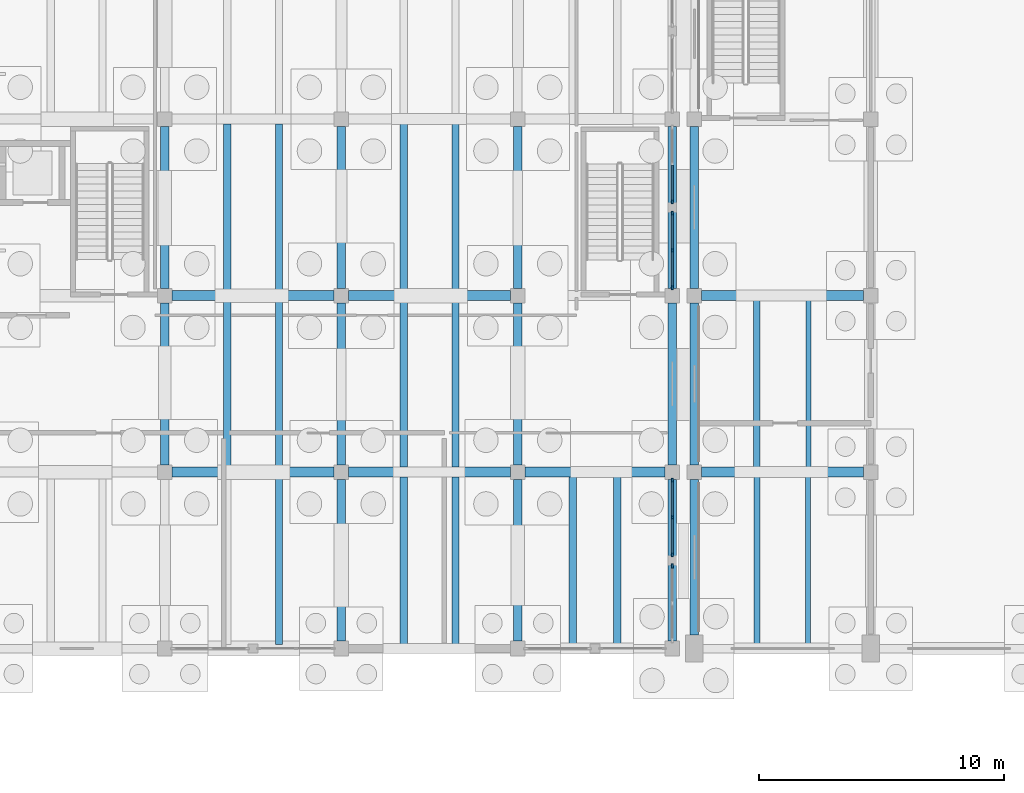
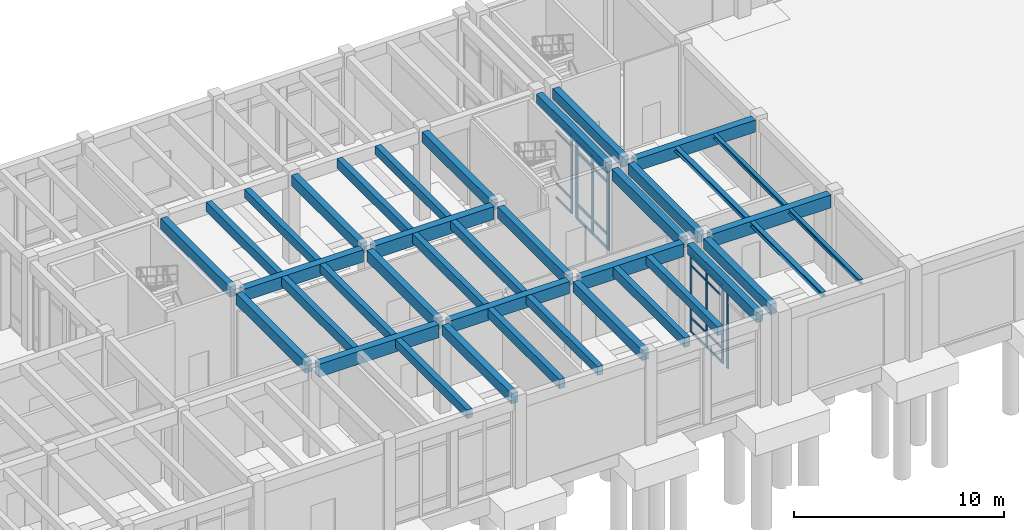
# One storey, part 25 of 93: 38 beams, 28 members, 4 elements without a shape of their own.
"""IFC4 building model written with IfcOpenShell, lengths in metres."""

from ifc_helpers import new_model, si_unit, direction, frame, origin, origin_2d, place, context, subcontext, project, spatial, rectangle, i_section, extrude, material, layer, layer_set, material_profile, profile_set, type_object, element, aggregate, save


model = new_model("IFC4")

# Units and contexts
model_context = context("Model", 3, precision=1e-05, world=origin(), true_north=direction((0.0, 1.0)))
body_context = subcontext(model_context, "Body", "Model", "MODEL_VIEW")
ifc_project = project(units=[si_unit("LENGTHUNIT", "METRE"), si_unit("AREAUNIT", "SQUARE_METRE"), si_unit("VOLUMEUNIT", "CUBIC_METRE"), si_unit("PLANEANGLEUNIT", "RADIAN"), si_unit("MASSUNIT", "GRAM", prefix="KILO")], contexts=[model_context])

# Site, building, storey
site_placement = place(None, origin())
site = spatial("IfcSite", under=ifc_project, at=site_placement, CompositionType="ELEMENT")
building_placement = place(site_placement, origin())
building = spatial("IfcBuilding", under=site, at=building_placement, Name="Koriwan Promenade Central Fire Station", CompositionType="ELEMENT")
storey_placement = place(building_placement, origin())
storey = spatial("IfcBuildingStorey", under=building, at=storey_placement, Name="L00", CompositionType="ELEMENT", Elevation=0.0)

# Beams
ifc_material_1 = material(Name="Concrete C35/45", Category="concrete")
ifc_material_profile_1 = material_profile(ifc_material_1, rectangle(XDim=0.300048828125, YDim=0.5, at=origin_2d()), Name="RC-BM-300x500")
ifc_profile_set_1 = profile_set([ifc_material_profile_1], Name="Concrete C35/45")
beam_type_1 = type_object("IfcBeamType", Name="Beam_RC-BM-300x500", PredefinedType="JOIST", material=ifc_profile_set_1)
for number, where, z_axis, x_axis, name in (
    (1, (40.656005859375, 43.375, 4.89990234375), (0.0, 1.0, 0.0), (-1.0, 0.0, 0.0), "V4 L00 secondary joist 389"),
    (2, (47.85595703125, 43.375, 4.89990234375), (0.0, 1.0, 0.0), (-1.0, 0.0, 0.0), "V4 L00 secondary joist 391"),
    (3, (54.4619140625, 43.375, 4.89990234375), (0.0, 1.0, 0.0), (-1.0, 0.0, 0.0), "V4 L00 secondary joist 393"),
):
    element("IfcBeam", number, at=place(storey_placement, frame(where, z_axis=z_axis, x_axis=x_axis)), inside=storey, type_object=beam_type_1, Name=name, PredefinedType="JOIST", context=body_context, shape_type="SweptSolid", body=[
        extrude(rectangle(XDim=0.300048828125, YDim=0.5, at=origin_2d()), origin(), (0.0, 0.0, 1.0), 6.824951171875),
    ])
for number, where, z_axis, x_axis, name in (
    (4, (40.656005859375, 50.60009765625, 4.89990234375), (0.0, 1.0, 0.0), (-1.0, 0.0, 0.0), "V4 L00 secondary joist 399"),
    (5, (47.85595703125, 50.60009765625, 4.89990234375), (0.0, 1.0, 0.0), (-1.0, 0.0, 0.0), "V4 L00 secondary joist 401"),
):
    element("IfcBeam", number, at=place(storey_placement, frame(where, z_axis=z_axis, x_axis=x_axis)), inside=storey, type_object=beam_type_1, Name=name, PredefinedType="JOIST", context=body_context, shape_type="SweptSolid", body=[
        extrude(rectangle(XDim=0.300048828125, YDim=0.5, at=origin_2d()), origin(), (0.0, 0.0, 1.0), 6.7998046875),
    ])
for number, where, z_axis, x_axis, name in (
    (6, (40.656005859375, 57.800048828125, 4.89990234375), (0.0, 1.0, 0.0), (-1.0, 0.0, 0.0), "V4 L00 secondary joist 403"),
    (7, (47.85595703125, 57.800048828125, 4.89990234375), (0.0, 1.0, 0.0), (-1.0, 0.0, 0.0), "V4 L00 secondary joist 405"),
):
    element("IfcBeam", number, at=place(storey_placement, frame(where, z_axis=z_axis, x_axis=x_axis)), inside=storey, type_object=beam_type_1, Name=name, PredefinedType="JOIST", context=body_context, shape_type="SweptSolid", body=[
        extrude(rectangle(XDim=0.300048828125, YDim=0.5, at=origin_2d()), origin(), (0.0, 0.0, 1.0), 6.800048828125),
    ])
ifc_material_profile_2 = material_profile(ifc_material_1, rectangle(XDim=0.300048828125, YDim=0.550048828125, at=origin_2d()), Name="RC-BM-300x550")
ifc_profile_set_2 = profile_set([ifc_material_profile_2], Name="Concrete C35/45")
beam_type_2 = type_object("IfcBeamType", Name="Beam_RC-BM-300x550", PredefinedType="JOIST", material=ifc_profile_set_2)
for number, where, z_axis, x_axis, name in (
    (8, (45.743896484375, 43.375, 4.875), (0.0, 1.0, 0.0), (-1.0, 0.0, 0.0), "V4 L00 secondary joist 390"),
    (9, (52.637939453125, 43.375, 4.875), (0.0, 1.0, 0.0), (-1.0, 0.0, 0.0), "V4 L00 secondary joist 392"),
):
    element("IfcBeam", number, at=place(storey_placement, frame(where, z_axis=z_axis, x_axis=x_axis)), inside=storey, type_object=beam_type_2, Name=name, PredefinedType="JOIST", context=body_context, shape_type="SweptSolid", body=[
        extrude(rectangle(XDim=0.300048828125, YDim=0.550048828125, at=origin_2d()), origin(), (0.0, 0.0, 1.0), 6.824951171875),
    ])
for number, where, z_axis, x_axis, name in (
    (10, (38.5439453125, 50.60009765625, 4.875), (0.0, 1.0, 0.0), (-1.0, 0.0, 0.0), "V4 L00 secondary joist 398"),
    (11, (45.743896484375, 50.60009765625, 4.875), (0.0, 1.0, 0.0), (-1.0, 0.0, 0.0), "V4 L00 secondary joist 400"),
):
    element("IfcBeam", number, at=place(storey_placement, frame(where, z_axis=z_axis, x_axis=x_axis)), inside=storey, type_object=beam_type_2, Name=name, PredefinedType="JOIST", context=body_context, shape_type="SweptSolid", body=[
        extrude(rectangle(XDim=0.300048828125, YDim=0.550048828125, at=origin_2d()), origin(), (0.0, 0.0, 1.0), 6.7998046875),
    ])
for number, where, z_axis, x_axis, name in (
    (12, (38.5439453125, 57.800048828125, 4.875), (0.0, 1.0, 0.0), (-1.0, 0.0, 0.0), "V4 L00 secondary joist 402"),
    (13, (45.743896484375, 57.800048828125, 4.875), (0.0, 1.0, 0.0), (-1.0, 0.0, 0.0), "V4 L00 secondary joist 404"),
):
    element("IfcBeam", number, at=place(storey_placement, frame(where, z_axis=z_axis, x_axis=x_axis)), inside=storey, type_object=beam_type_2, Name=name, PredefinedType="JOIST", context=body_context, shape_type="SweptSolid", body=[
        extrude(rectangle(XDim=0.300048828125, YDim=0.550048828125, at=origin_2d()), origin(), (0.0, 0.0, 1.0), 6.800048828125),
    ])
ifc_material_profile_3 = material_profile(ifc_material_1, rectangle(XDim=0.35009765625, YDim=0.60009765625, at=origin_2d()), Name="RC-BM-350x600")
ifc_profile_set_3 = profile_set([ifc_material_profile_3], Name="Concrete C35/45")
beam_type_3 = type_object("IfcBeamType", Name="Beam_RC-BM-350x600", PredefinedType="BEAM", material=ifc_profile_set_3)
beam_1_placement = place(storey_placement, frame((57.60009765625, 43.75, 4.85009765625), z_axis=(0.0, 1.0, 0.0), x_axis=(-1.0, 0.0, 0.0)))
element("IfcBeam", 14, at=beam_1_placement, inside=storey, type_object=beam_type_3, Name="V1 L00 girder Y-20", PredefinedType="BEAM", context=body_context, shape_type="SweptSolid", body=[
    extrude(rectangle(XDim=0.35009765625, YDim=0.60009765625, at=origin_2d()), origin(), (0.0, 0.0, 1.0), 6.35009765625),
])
for number, where, z_axis, x_axis, name in (
    (15, (57.60009765625, 57.89990234375, 4.85009765625), (0.0, 1.0, 0.0), (-1.0, 0.0, 0.0), "V1 L00 girder Y-22"),
    (16, (36.0, 57.89990234375, 4.85009765625), (0.0, 1.0, 0.0), (-1.0, 0.0, 0.0), "V4 L00 girder Y-368"),
    (17, (43.199951171875, 43.5, 4.85009765625), (0.0, 1.0, 0.0), (-1.0, 0.0, 0.0), "V4 L00 girder Y-370"),
    (18, (43.199951171875, 57.89990234375, 4.85009765625), (0.0, 1.0, 0.0), (-1.0, 0.0, 0.0), "V4 L00 girder Y-372"),
    (19, (50.39990234375, 43.5, 4.85009765625), (0.0, 1.0, 0.0), (-1.0, 0.0, 0.0), "V4 L00 girder Y-374"),
    (20, (50.39990234375, 57.89990234375, 4.85009765625), (0.0, 1.0, 0.0), (-1.0, 0.0, 0.0), "V4 L00 girder Y-376"),
    (21, (56.699951171875, 43.5, 4.85009765625), (0.0, 1.0, 0.0), (-1.0, 0.0, 0.0), "V4 L00 girder Y-378"),
    (22, (56.699951171875, 57.89990234375, 4.85009765625), (0.0, 1.0, 0.0), (-1.0, 0.0, 0.0), "V4 L00 girder Y-380"),
):
    element("IfcBeam", number, at=place(storey_placement, frame(where, z_axis=z_axis, x_axis=x_axis)), inside=storey, type_object=beam_type_3, Name=name, PredefinedType="BEAM", context=body_context, shape_type="SweptSolid", body=[
        extrude(rectangle(XDim=0.35009765625, YDim=0.60009765625, at=origin_2d()), origin(), (0.0, 0.0, 1.0), 6.60009765625),
    ])
ifc_material_profile_4 = material_profile(ifc_material_1, rectangle(XDim=0.35009765625, YDim=0.64990234375, at=origin_2d()), Name="RC-BM-350x650")
ifc_profile_set_4 = profile_set([ifc_material_profile_4], Name="Concrete C35/45")
beam_type_4 = type_object("IfcBeamType", Name="Beam_RC-BM-350x650", PredefinedType="BEAM", material=ifc_profile_set_4)
for number, where, z_axis, x_axis, name in (
    (23, (57.60009765625, 50.699951171875, 4.824951171875), (0.0, 1.0, 0.0), (-1.0, 0.0, 0.0), "V1 L00 girder Y-21"),
    (24, (36.0, 50.699951171875, 4.824951171875), (0.0, 1.0, 0.0), (-1.0, 0.0, 0.0), "V4 L00 girder Y-367"),
    (25, (43.199951171875, 50.699951171875, 4.824951171875), (0.0, 1.0, 0.0), (-1.0, 0.0, 0.0), "V4 L00 girder Y-371"),
    (26, (50.39990234375, 50.699951171875, 4.824951171875), (0.0, 1.0, 0.0), (-1.0, 0.0, 0.0), "V4 L00 girder Y-375"),
    (27, (56.699951171875, 50.699951171875, 4.824951171875), (0.0, 1.0, 0.0), (-1.0, 0.0, 0.0), "V4 L00 girder Y-379"),
):
    element("IfcBeam", number, at=place(storey_placement, frame(where, z_axis=z_axis, x_axis=x_axis)), inside=storey, type_object=beam_type_4, Name=name, PredefinedType="BEAM", context=body_context, shape_type="SweptSolid", body=[
        extrude(rectangle(XDim=0.35009765625, YDim=0.64990234375, at=origin_2d()), origin(), (0.0, 0.0, 1.0), 6.60009765625),
    ])
ifc_material_profile_5 = material_profile(ifc_material_1, rectangle(XDim=0.39990234375, YDim=0.699951171875, at=origin_2d()), Name="RC-BM-400x700")
ifc_profile_set_5 = profile_set([ifc_material_profile_5], Name="Concrete C35/45")
beam_type_5 = type_object("IfcBeamType", Name="Beam_RC-BM-400x700", PredefinedType="BEAM", material=ifc_profile_set_5)
for number, where, z_axis, x_axis, name in (
    (28, (57.89990234375, 57.60009765625, 4.800048828125), (1.0, 0.0, 0.0), (0.0, 1.0, 0.0), "V1 L00 girder X-10"),
    (29, (43.5, 50.39990234375, 4.800048828125), (1.0, 0.0, 0.0), (0.0, 1.0, 0.0), "V4 L00 girder X-338"),
):
    element("IfcBeam", number, at=place(storey_placement, frame(where, z_axis=z_axis, x_axis=x_axis)), inside=storey, type_object=beam_type_5, Name=name, PredefinedType="BEAM", context=body_context, shape_type="SweptSolid", body=[
        extrude(rectangle(XDim=0.39990234375, YDim=0.699951171875, at=origin_2d()), origin(), (0.0, 0.0, 1.0), 6.60009765625),
    ])
beam_2_placement = place(storey_placement, frame((36.300048828125, 57.60009765625, 4.800048828125), z_axis=(1.0, 0.0, 0.0), x_axis=(0.0, 1.0, 0.0)))
element("IfcBeam", 30, at=beam_2_placement, inside=storey, type_object=beam_type_5, Name="V4 L00 girder X-344", PredefinedType="BEAM", context=body_context, shape_type="SweptSolid", body=[
    extrude(rectangle(XDim=0.39990234375, YDim=0.699951171875, at=origin_2d()), origin(), (0.0, 0.0, 1.0), 6.599853515625),
])
ifc_material_profile_6 = material_profile(ifc_material_1, rectangle(XDim=0.39990234375, YDim=0.75, at=origin_2d()), Name="RC-BM-400x750")
ifc_profile_set_6 = profile_set([ifc_material_profile_6], Name="Concrete C35/45")
beam_type_6 = type_object("IfcBeamType", Name="Beam_RC-BM-400x750", PredefinedType="BEAM", material=ifc_profile_set_6)
beam_3_placement = place(storey_placement, frame((57.89990234375, 50.39990234375, 4.77490234375), z_axis=(1.0, 0.0, 0.0), x_axis=(0.0, 1.0, 0.0)))
element("IfcBeam", 31, at=beam_3_placement, inside=storey, type_object=beam_type_6, Name="V1 L00 girder X-9", PredefinedType="BEAM", context=body_context, shape_type="SweptSolid", body=[
    extrude(rectangle(XDim=0.39990234375, YDim=0.75, at=origin_2d()), origin(), (0.0, 0.0, 1.0), 6.60009765625),
])
beam_4_placement = place(storey_placement, frame((36.300048828125, 50.39990234375, 4.77490234375), z_axis=(1.0, 0.0, 0.0), x_axis=(0.0, 1.0, 0.0)))
element("IfcBeam", 32, at=beam_4_placement, inside=storey, type_object=beam_type_6, Name="V4 L00 girder X-337", PredefinedType="BEAM", context=body_context, shape_type="SweptSolid", body=[
    extrude(rectangle(XDim=0.39990234375, YDim=0.75, at=origin_2d()), origin(), (0.0, 0.0, 1.0), 6.599853515625),
])
beam_5_placement = place(storey_placement, frame((50.699951171875, 50.39990234375, 4.77490234375), z_axis=(1.0, 0.0, 0.0), x_axis=(0.0, 1.0, 0.0)))
element("IfcBeam", 33, at=beam_5_placement, inside=storey, type_object=beam_type_6, Name="V4 L00 girder X-339", PredefinedType="BEAM", context=body_context, shape_type="SweptSolid", body=[
    extrude(rectangle(XDim=0.39990234375, YDim=0.75, at=origin_2d()), origin(), (0.0, 0.0, 1.0), 5.699951171875),
])
beam_6_placement = place(storey_placement, frame((43.5, 57.60009765625, 4.77490234375), z_axis=(1.0, 0.0, 0.0), x_axis=(0.0, 1.0, 0.0)))
element("IfcBeam", 34, at=beam_6_placement, inside=storey, type_object=beam_type_6, Name="V4 L00 girder X-345", PredefinedType="BEAM", context=body_context, shape_type="SweptSolid", body=[
    extrude(rectangle(XDim=0.39990234375, YDim=0.75, at=origin_2d()), origin(), (0.0, 0.0, 1.0), 6.60009765625),
])

# Curtain wall, member
ifc_material_2 = material(Name="Aluminium EN AW-6063-T6 and low-E glazing", Category="aluminium")
ifc_layer_1 = layer(ifc_material_2, 0.159912109375, Name="Aluminium EN AW-6063-T6 and low-E glazing")
ifc_layer_set_1 = layer_set([ifc_layer_1], Name="Aluminium EN AW-6063-T6 and low-E glazing")
curtain_wall_type_1 = type_object("IfcCurtainWallType", Name="CurtainWall_33_310x454", PredefinedType="USERDEFINED", material=ifc_layer_set_1)
curtain_wall_1_placement = place(storey_placement, origin())
curtain_wall_1 = element("IfcCurtainWall", 35, at=curtain_wall_1_placement, inside=storey, type_object=curtain_wall_type_1, Name="V4 L00 unitised curtain wall 097", ObjectType="UNITISED CURTAIN WALL", PredefinedType="USERDEFINED")
ifc_material_3 = material(Name="Aluminium EN AW-6063-T6", Category="aluminium")
ifc_material_profile_7 = material_profile(ifc_material_3, rectangle(XDim=0.06494140625, YDim=0.159912109375, at=origin_2d()), Name="ALU-MUL-65x160")
ifc_profile_set_7 = profile_set([ifc_material_profile_7], Name="Aluminium EN AW-6063-T6")
member_type_1 = type_object("IfcMemberType", Name="CWMullion_ALU-MUL-65x160", PredefinedType="MULLION", material=ifc_profile_set_7)
member_1_placement = place(storey_placement, frame((56.699951171875, 61.4326171875, 0.0), z_axis=(0.0, 0.0, 1.0), x_axis=(1.0, 0.0, 0.0)))
member_1 = element("IfcMember", 36, at=member_1_placement, type_object=member_type_1, Name="CW-33 mullion 3", PredefinedType="MULLION", context=body_context, shape_type="SweptSolid", body=[
    extrude(rectangle(XDim=0.06494140625, YDim=0.159912109375, at=origin_2d()), origin(), (0.0, 0.0, 1.0), 4.5400390625),
])

# Curtain wall, members
curtain_wall_2_placement = place(storey_placement, origin())
curtain_wall_2 = element("IfcCurtainWall", 37, at=curtain_wall_2_placement, inside=storey, type_object=curtain_wall_type_1, Name="V4 L00 unitised curtain wall 099", ObjectType="UNITISED CURTAIN WALL", PredefinedType="USERDEFINED")
member_2_placement = place(storey_placement, frame((56.699951171875, 50.0673828125, 0.0), z_axis=(0.0, 0.0, 1.0), x_axis=(1.0, 0.0, 0.0)))
member_2 = element("IfcMember", 38, at=member_2_placement, type_object=member_type_1, Name="CW-33 mullion 1", PredefinedType="MULLION", context=body_context, shape_type="SweptSolid", body=[
    extrude(rectangle(XDim=0.06494140625, YDim=0.159912109375, at=origin_2d()), origin(), (0.0, 0.0, 1.0), 4.5400390625),
])
member_3_placement = place(storey_placement, frame((56.699951171875, 48.550048828125, 0.0), z_axis=(0.0, 0.0, 1.0), x_axis=(1.0, 0.0, 0.0)))
member_3 = element("IfcMember", 39, at=member_3_placement, type_object=member_type_1, Name="CW-33 mullion 2", PredefinedType="MULLION", context=body_context, shape_type="SweptSolid", body=[
    extrude(rectangle(XDim=0.06494140625, YDim=0.159912109375, at=origin_2d()), origin(), (0.0, 0.0, 1.0), 4.5400390625),
])
member_4_placement = place(storey_placement, frame((56.699951171875, 47.032470703125, 0.0), z_axis=(0.0, 0.0, 1.0), x_axis=(1.0, 0.0, 0.0)))
member_4 = element("IfcMember", 40, at=member_4_placement, type_object=member_type_1, Name="CW-33 mullion 3", PredefinedType="MULLION", context=body_context, shape_type="SweptSolid", body=[
    extrude(rectangle(XDim=0.06494140625, YDim=0.159912109375, at=origin_2d()), origin(), (0.0, 0.0, 1.0), 4.5400390625),
])

ifc_layer_2 = layer(ifc_material_2, 0.159912109375, Name="Aluminium EN AW-6063-T6 and low-E glazing")
ifc_layer_set_2 = layer_set([ifc_layer_2], Name="Aluminium EN AW-6063-T6 and low-E glazing")
curtain_wall_type_2 = type_object("IfcCurtainWallType", Name="CurtainWall_34_310x454", PredefinedType="USERDEFINED", material=ifc_layer_set_2)
curtain_wall_3_placement = place(storey_placement, origin())
curtain_wall_3 = element("IfcCurtainWall", 41, at=curtain_wall_3_placement, inside=storey, type_object=curtain_wall_type_2, Name="V4 L00 unitised curtain wall 098", ObjectType="UNITISED CURTAIN WALL", PredefinedType="USERDEFINED")
ifc_material_profile_8 = material_profile(ifc_material_3, rectangle(XDim=0.074951171875, YDim=0.179931640625, at=origin_2d()), Name="ALU-MUL-75x180")
ifc_profile_set_8 = profile_set([ifc_material_profile_8], Name="Aluminium EN AW-6063-T6")
member_type_2 = type_object("IfcMemberType", Name="CWMullion_ALU-MUL-75x180", PredefinedType="MULLION", material=ifc_profile_set_8)
member_5_placement = place(storey_placement, frame((56.699951171875, 60.96240234375, 0.0), z_axis=(0.0, 0.0, 1.0), x_axis=(1.0, 0.0, 0.0)))
member_5 = element("IfcMember", 42, at=member_5_placement, type_object=member_type_2, Name="CW-34 mullion 1", PredefinedType="MULLION", context=body_context, shape_type="SweptSolid", body=[
    extrude(rectangle(XDim=0.074951171875, YDim=0.179931640625, at=origin_2d()), origin(), (0.0, 0.0, 1.0), 4.5400390625),
])
member_6_placement = place(storey_placement, frame((56.699951171875, 59.449951171875, 0.0), z_axis=(0.0, 0.0, 1.0), x_axis=(1.0, 0.0, 0.0)))
member_6 = element("IfcMember", 43, at=member_6_placement, type_object=member_type_2, Name="CW-34 mullion 2", PredefinedType="MULLION", context=body_context, shape_type="SweptSolid", body=[
    extrude(rectangle(XDim=0.074951171875, YDim=0.179931640625, at=origin_2d()), origin(), (0.0, 0.0, 1.0), 4.5400390625),
])
member_7_placement = place(storey_placement, frame((56.699951171875, 57.9375, 0.0), z_axis=(0.0, 0.0, 1.0), x_axis=(1.0, 0.0, 0.0)))
member_7 = element("IfcMember", 44, at=member_7_placement, type_object=member_type_2, Name="CW-34 mullion 3", PredefinedType="MULLION", context=body_context, shape_type="SweptSolid", body=[
    extrude(rectangle(XDim=0.074951171875, YDim=0.179931640625, at=origin_2d()), origin(), (0.0, 0.0, 1.0), 4.5400390625),
])

# Curtain wall, member
curtain_wall_4_placement = place(storey_placement, origin())
curtain_wall_4 = element("IfcCurtainWall", 45, at=curtain_wall_4_placement, inside=storey, type_object=curtain_wall_type_2, Name="V4 L00 unitised curtain wall 100", ObjectType="UNITISED CURTAIN WALL", PredefinedType="USERDEFINED")
member_8_placement = place(storey_placement, frame((56.699951171875, 46.5625, 0.0), z_axis=(0.0, 0.0, 1.0), x_axis=(1.0, 0.0, 0.0)))
member_8 = element("IfcMember", 46, at=member_8_placement, type_object=member_type_2, Name="CW-34 mullion 1", PredefinedType="MULLION", context=body_context, shape_type="SweptSolid", body=[
    extrude(rectangle(XDim=0.074951171875, YDim=0.179931640625, at=origin_2d()), origin(), (0.0, 0.0, 1.0), 4.5400390625),
])
aggregate(curtain_wall_4, [member_8])

# Member
ifc_material_profile_9 = material_profile(ifc_material_3, rectangle(XDim=0.06494140625, YDim=0.1201171875, at=origin_2d()), Name="ALU-TRN-65x120")
ifc_profile_set_9 = profile_set([ifc_material_profile_9], Name="Aluminium EN AW-6063-T6")
member_type_3 = type_object("IfcMemberType", Name="CWTransom_ALU-TRN-65x120", PredefinedType="USERDEFINED", material=ifc_profile_set_9)
member_9_placement = place(storey_placement, frame((56.699951171875, 62.91748046875, 0.032470703125), z_axis=(0.0, -1.0, 0.0), x_axis=(1.0, 0.0, 0.0)))
member_9 = element("IfcMember", 47, at=member_9_placement, type_object=member_type_3, Name="CW-33 transom 2.1", ObjectType="TRANSOM", PredefinedType="USERDEFINED", context=body_context, shape_type="SweptSolid", body=[
    extrude(rectangle(XDim=0.06494140625, YDim=0.1201171875, at=origin_2d()), origin(), (0.0, 0.0, 1.0), 1.452392578125),
])

member_10_placement = place(storey_placement, frame((56.699951171875, 62.91748046875, 0.85009765625), z_axis=(0.0, -1.0, 0.0), x_axis=(1.0, 0.0, 0.0)))
member_10 = element("IfcMember", 48, at=member_10_placement, type_object=member_type_3, Name="CW-33 transom 2.2", ObjectType="TRANSOM", PredefinedType="USERDEFINED", context=body_context, shape_type="SweptSolid", body=[
    extrude(rectangle(XDim=0.06494140625, YDim=0.1201171875, at=origin_2d()), origin(), (0.0, 0.0, 1.0), 1.452392578125),
])

member_11_placement = place(storey_placement, frame((56.699951171875, 62.91748046875, 3.889892578125), z_axis=(0.0, -1.0, 0.0), x_axis=(1.0, 0.0, 0.0)))
member_11 = element("IfcMember", 49, at=member_11_placement, type_object=member_type_3, Name="CW-33 transom 2.3", ObjectType="TRANSOM", PredefinedType="USERDEFINED", context=body_context, shape_type="SweptSolid", body=[
    extrude(rectangle(XDim=0.06494140625, YDim=0.1201171875, at=origin_2d()), origin(), (0.0, 0.0, 1.0), 1.452392578125),
])

member_12_placement = place(storey_placement, frame((56.699951171875, 62.91748046875, 4.507568359375), z_axis=(0.0, -1.0, 0.0), x_axis=(1.0, 0.0, 0.0)))
member_12 = element("IfcMember", 50, at=member_12_placement, type_object=member_type_3, Name="CW-33 transom 2.4", ObjectType="TRANSOM", PredefinedType="USERDEFINED", context=body_context, shape_type="SweptSolid", body=[
    extrude(rectangle(XDim=0.06494140625, YDim=0.1201171875, at=origin_2d()), origin(), (0.0, 0.0, 1.0), 1.452392578125),
])

aggregate(curtain_wall_1, [member_1, member_9, member_10, member_11, member_12])

member_13_placement = place(storey_placement, frame((56.699951171875, 50.034912109375, 0.032470703125), z_axis=(0.0, -1.0, 0.0), x_axis=(1.0, 0.0, 0.0)))
member_13 = element("IfcMember", 51, at=member_13_placement, type_object=member_type_3, Name="CW-33 transom 1.1", ObjectType="TRANSOM", PredefinedType="USERDEFINED", context=body_context, shape_type="SweptSolid", body=[
    extrude(rectangle(XDim=0.06494140625, YDim=0.1201171875, at=origin_2d()), origin(), (0.0, 0.0, 1.0), 1.452392578125),
])

member_14_placement = place(storey_placement, frame((56.699951171875, 50.034912109375, 0.85009765625), z_axis=(0.0, -1.0, 0.0), x_axis=(1.0, 0.0, 0.0)))
member_14 = element("IfcMember", 52, at=member_14_placement, type_object=member_type_3, Name="CW-33 transom 1.2", ObjectType="TRANSOM", PredefinedType="USERDEFINED", context=body_context, shape_type="SweptSolid", body=[
    extrude(rectangle(XDim=0.06494140625, YDim=0.1201171875, at=origin_2d()), origin(), (0.0, 0.0, 1.0), 1.452392578125),
])

member_15_placement = place(storey_placement, frame((56.699951171875, 50.034912109375, 3.889892578125), z_axis=(0.0, -1.0, 0.0), x_axis=(1.0, 0.0, 0.0)))
member_15 = element("IfcMember", 53, at=member_15_placement, type_object=member_type_3, Name="CW-33 transom 1.3", ObjectType="TRANSOM", PredefinedType="USERDEFINED", context=body_context, shape_type="SweptSolid", body=[
    extrude(rectangle(XDim=0.06494140625, YDim=0.1201171875, at=origin_2d()), origin(), (0.0, 0.0, 1.0), 1.452392578125),
])

member_16_placement = place(storey_placement, frame((56.699951171875, 50.034912109375, 4.507568359375), z_axis=(0.0, -1.0, 0.0), x_axis=(1.0, 0.0, 0.0)))
member_16 = element("IfcMember", 54, at=member_16_placement, type_object=member_type_3, Name="CW-33 transom 1.4", ObjectType="TRANSOM", PredefinedType="USERDEFINED", context=body_context, shape_type="SweptSolid", body=[
    extrude(rectangle(XDim=0.06494140625, YDim=0.1201171875, at=origin_2d()), origin(), (0.0, 0.0, 1.0), 1.452392578125),
])

member_17_placement = place(storey_placement, frame((56.699951171875, 48.517578125, 0.032470703125), z_axis=(0.0, -1.0, 0.0), x_axis=(1.0, 0.0, 0.0)))
member_17 = element("IfcMember", 55, at=member_17_placement, type_object=member_type_3, Name="CW-33 transom 2.1", ObjectType="TRANSOM", PredefinedType="USERDEFINED", context=body_context, shape_type="SweptSolid", body=[
    extrude(rectangle(XDim=0.06494140625, YDim=0.1201171875, at=origin_2d()), origin(), (0.0, 0.0, 1.0), 1.45263671875),
])

member_18_placement = place(storey_placement, frame((56.699951171875, 48.517578125, 0.85009765625), z_axis=(0.0, -1.0, 0.0), x_axis=(1.0, 0.0, 0.0)))
member_18 = element("IfcMember", 56, at=member_18_placement, type_object=member_type_3, Name="CW-33 transom 2.2", ObjectType="TRANSOM", PredefinedType="USERDEFINED", context=body_context, shape_type="SweptSolid", body=[
    extrude(rectangle(XDim=0.06494140625, YDim=0.1201171875, at=origin_2d()), origin(), (0.0, 0.0, 1.0), 1.45263671875),
])

member_19_placement = place(storey_placement, frame((56.699951171875, 48.517578125, 3.889892578125), z_axis=(0.0, -1.0, 0.0), x_axis=(1.0, 0.0, 0.0)))
member_19 = element("IfcMember", 57, at=member_19_placement, type_object=member_type_3, Name="CW-33 transom 2.3", ObjectType="TRANSOM", PredefinedType="USERDEFINED", context=body_context, shape_type="SweptSolid", body=[
    extrude(rectangle(XDim=0.06494140625, YDim=0.1201171875, at=origin_2d()), origin(), (0.0, 0.0, 1.0), 1.45263671875),
])

member_20_placement = place(storey_placement, frame((56.699951171875, 48.517578125, 4.507568359375), z_axis=(0.0, -1.0, 0.0), x_axis=(1.0, 0.0, 0.0)))
member_20 = element("IfcMember", 58, at=member_20_placement, type_object=member_type_3, Name="CW-33 transom 2.4", ObjectType="TRANSOM", PredefinedType="USERDEFINED", context=body_context, shape_type="SweptSolid", body=[
    extrude(rectangle(XDim=0.06494140625, YDim=0.1201171875, at=origin_2d()), origin(), (0.0, 0.0, 1.0), 1.45263671875),
])

aggregate(curtain_wall_2, [member_2, member_3, member_4, member_13, member_14, member_15, member_16, member_17, member_18, member_19, member_20])

ifc_material_profile_10 = material_profile(ifc_material_3, rectangle(XDim=0.074951171875, YDim=0.139892578125, at=origin_2d()), Name="ALU-TRN-75x140")
ifc_profile_set_10 = profile_set([ifc_material_profile_10], Name="Aluminium EN AW-6063-T6")
member_type_4 = type_object("IfcMemberType", Name="CWTransom_ALU-TRN-75x140", PredefinedType="USERDEFINED", material=ifc_profile_set_10)
member_21_placement = place(storey_placement, frame((56.699951171875, 60.925048828125, 0.03759765625), z_axis=(0.0, -1.0, 0.0), x_axis=(1.0, 0.0, 0.0)))
member_21 = element("IfcMember", 59, at=member_21_placement, type_object=member_type_4, Name="CW-34 transom 1.1", ObjectType="TRANSOM", PredefinedType="USERDEFINED", context=body_context, shape_type="SweptSolid", body=[
    extrude(rectangle(XDim=0.074951171875, YDim=0.139892578125, at=origin_2d()), origin(), (0.0, 0.0, 1.0), 1.4375),
])

member_22_placement = place(storey_placement, frame((56.699951171875, 60.925048828125, 0.85009765625), z_axis=(0.0, -1.0, 0.0), x_axis=(1.0, 0.0, 0.0)))
member_22 = element("IfcMember", 60, at=member_22_placement, type_object=member_type_4, Name="CW-34 transom 1.2", ObjectType="TRANSOM", PredefinedType="USERDEFINED", context=body_context, shape_type="SweptSolid", body=[
    extrude(rectangle(XDim=0.074951171875, YDim=0.139892578125, at=origin_2d()), origin(), (0.0, 0.0, 1.0), 1.4375),
])

member_23_placement = place(storey_placement, frame((56.699951171875, 60.925048828125, 3.889892578125), z_axis=(0.0, -1.0, 0.0), x_axis=(1.0, 0.0, 0.0)))
member_23 = element("IfcMember", 61, at=member_23_placement, type_object=member_type_4, Name="CW-34 transom 1.3", ObjectType="TRANSOM", PredefinedType="USERDEFINED", context=body_context, shape_type="SweptSolid", body=[
    extrude(rectangle(XDim=0.074951171875, YDim=0.139892578125, at=origin_2d()), origin(), (0.0, 0.0, 1.0), 1.4375),
])

member_24_placement = place(storey_placement, frame((56.699951171875, 60.925048828125, 4.50244140625), z_axis=(0.0, -1.0, 0.0), x_axis=(1.0, 0.0, 0.0)))
member_24 = element("IfcMember", 62, at=member_24_placement, type_object=member_type_4, Name="CW-34 transom 1.4", ObjectType="TRANSOM", PredefinedType="USERDEFINED", context=body_context, shape_type="SweptSolid", body=[
    extrude(rectangle(XDim=0.074951171875, YDim=0.139892578125, at=origin_2d()), origin(), (0.0, 0.0, 1.0), 1.4375),
])

member_25_placement = place(storey_placement, frame((56.699951171875, 59.41259765625, 0.03759765625), z_axis=(0.0, -1.0, 0.0), x_axis=(1.0, 0.0, 0.0)))
member_25 = element("IfcMember", 63, at=member_25_placement, type_object=member_type_4, Name="CW-34 transom 2.1", ObjectType="TRANSOM", PredefinedType="USERDEFINED", context=body_context, shape_type="SweptSolid", body=[
    extrude(rectangle(XDim=0.074951171875, YDim=0.139892578125, at=origin_2d()), origin(), (0.0, 0.0, 1.0), 1.4375),
])

member_26_placement = place(storey_placement, frame((56.699951171875, 59.41259765625, 0.85009765625), z_axis=(0.0, -1.0, 0.0), x_axis=(1.0, 0.0, 0.0)))
member_26 = element("IfcMember", 64, at=member_26_placement, type_object=member_type_4, Name="CW-34 transom 2.2", ObjectType="TRANSOM", PredefinedType="USERDEFINED", context=body_context, shape_type="SweptSolid", body=[
    extrude(rectangle(XDim=0.074951171875, YDim=0.139892578125, at=origin_2d()), origin(), (0.0, 0.0, 1.0), 1.4375),
])

member_27_placement = place(storey_placement, frame((56.699951171875, 59.41259765625, 3.889892578125), z_axis=(0.0, -1.0, 0.0), x_axis=(1.0, 0.0, 0.0)))
member_27 = element("IfcMember", 65, at=member_27_placement, type_object=member_type_4, Name="CW-34 transom 2.3", ObjectType="TRANSOM", PredefinedType="USERDEFINED", context=body_context, shape_type="SweptSolid", body=[
    extrude(rectangle(XDim=0.074951171875, YDim=0.139892578125, at=origin_2d()), origin(), (0.0, 0.0, 1.0), 1.4375),
])

member_28_placement = place(storey_placement, frame((56.699951171875, 59.41259765625, 4.50244140625), z_axis=(0.0, -1.0, 0.0), x_axis=(1.0, 0.0, 0.0)))
member_28 = element("IfcMember", 66, at=member_28_placement, type_object=member_type_4, Name="CW-34 transom 2.4", ObjectType="TRANSOM", PredefinedType="USERDEFINED", context=body_context, shape_type="SweptSolid", body=[
    extrude(rectangle(XDim=0.074951171875, YDim=0.139892578125, at=origin_2d()), origin(), (0.0, 0.0, 1.0), 1.4375),
])

aggregate(curtain_wall_3, [member_5, member_6, member_7, member_21, member_22, member_23, member_24, member_25, member_26, member_27, member_28])

# Beams
ifc_material_4 = material(Name="Steel ASTM A992 Grade 50", Category="steel")
ifc_material_profile_11 = material_profile(ifc_material_4, i_section(OverallWidth=0.202880859375, OverallDepth=0.251953125, WebThickness=0.008056640625, FlangeThickness=0.013427734375, FilletRadius=0.012939453125, at=origin_2d()), Name="W250x58")
ifc_profile_set_11 = profile_set([ifc_material_profile_11], Name="Steel ASTM A992 Grade 50")
beam_type_7 = type_object("IfcBeamType", Name="SteelBeam_W250x58", PredefinedType="JOIST", material=ifc_profile_set_11)
beam_7_placement = place(storey_placement, frame((62.239990234375, 43.375, 5.02392578125), z_axis=(0.0, 1.0, 0.0), x_axis=(-1.0, 0.0, 0.0)))
element("IfcBeam", 67, at=beam_7_placement, inside=storey, type_object=beam_type_7, Name="V1 L00 secondary joist 37", PredefinedType="JOIST", context=body_context, shape_type="SweptSolid", body=[
    extrude(i_section(OverallWidth=0.202880859375, OverallDepth=0.251953125, WebThickness=0.008056640625, FlangeThickness=0.013427734375, FilletRadius=0.012939453125, at=origin_2d()), origin(), (0.0, 0.0, 1.0), 6.824951171875),
])
beam_8_placement = place(storey_placement, frame((62.256103515625, 50.60009765625, 5.02392578125), z_axis=(0.0, 1.0, 0.0), x_axis=(-1.0, 0.0, 0.0)))
element("IfcBeam", 68, at=beam_8_placement, inside=storey, type_object=beam_type_7, Name="V1 L00 secondary joist 39", PredefinedType="JOIST", context=body_context, shape_type="SweptSolid", body=[
    extrude(i_section(OverallWidth=0.202880859375, OverallDepth=0.251953125, WebThickness=0.008056640625, FlangeThickness=0.013427734375, FilletRadius=0.012939453125, at=origin_2d()), origin(), (0.0, 0.0, 1.0), 6.7998046875),
])
ifc_material_profile_12 = material_profile(ifc_material_4, i_section(OverallWidth=0.25390625, OverallDepth=0.2529296875, WebThickness=0.008544921875, FlangeThickness=0.01416015625, FilletRadius=0.012939453125, at=origin_2d()), Name="W250x73")
ifc_profile_set_12 = profile_set([ifc_material_profile_12], Name="Steel ASTM A992 Grade 50")
beam_type_8 = type_object("IfcBeamType", Name="SteelBeam_W250x73", PredefinedType="JOIST", material=ifc_profile_set_12)
beam_9_placement = place(storey_placement, frame((60.159912109375, 43.375, 5.0234375), z_axis=(0.0, 1.0, 0.0), x_axis=(-1.0, 0.0, 0.0)))
element("IfcBeam", 69, at=beam_9_placement, inside=storey, type_object=beam_type_8, Name="V1 L00 secondary joist 36", PredefinedType="JOIST", context=body_context, shape_type="SweptSolid", body=[
    extrude(i_section(OverallWidth=0.25390625, OverallDepth=0.2529296875, WebThickness=0.008544921875, FlangeThickness=0.01416015625, FilletRadius=0.012939453125, at=origin_2d()), origin(), (0.0, 0.0, 1.0), 6.824951171875),
])
beam_10_placement = place(storey_placement, frame((60.14404296875, 50.60009765625, 5.0234375), z_axis=(0.0, 1.0, 0.0), x_axis=(-1.0, 0.0, 0.0)))
element("IfcBeam", 70, at=beam_10_placement, inside=storey, type_object=beam_type_8, Name="V1 L00 secondary joist 38", PredefinedType="JOIST", context=body_context, shape_type="SweptSolid", body=[
    extrude(i_section(OverallWidth=0.25390625, OverallDepth=0.2529296875, WebThickness=0.008544921875, FlangeThickness=0.01416015625, FilletRadius=0.012939453125, at=origin_2d()), origin(), (0.0, 0.0, 1.0), 6.7998046875),
])

save(model, "model.ifc")
